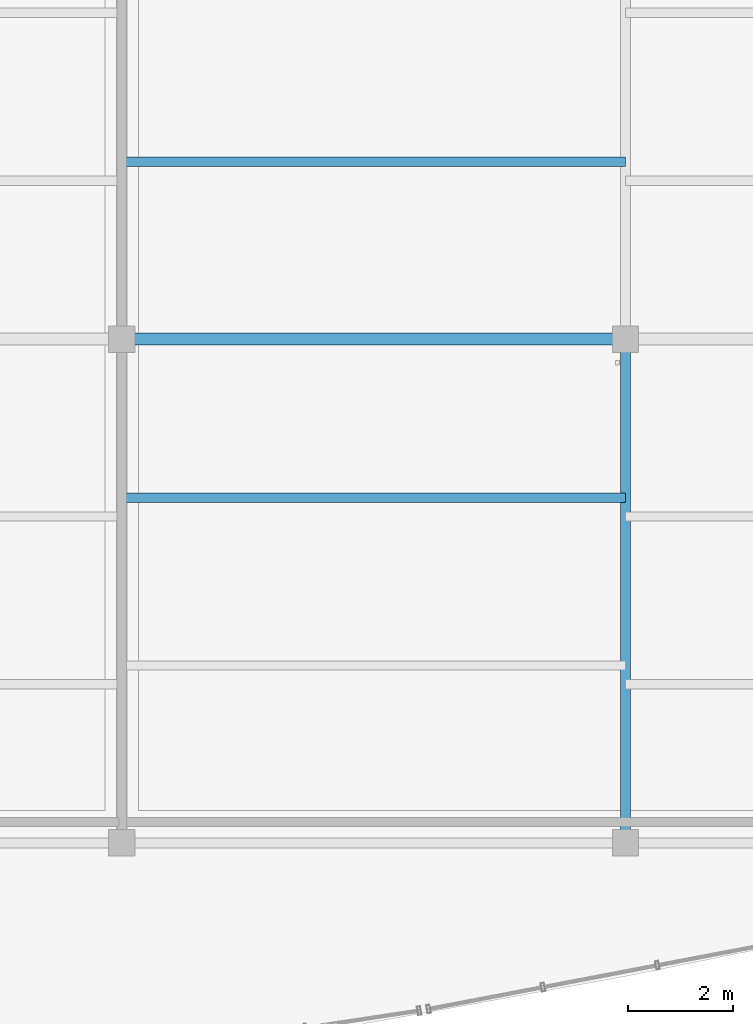
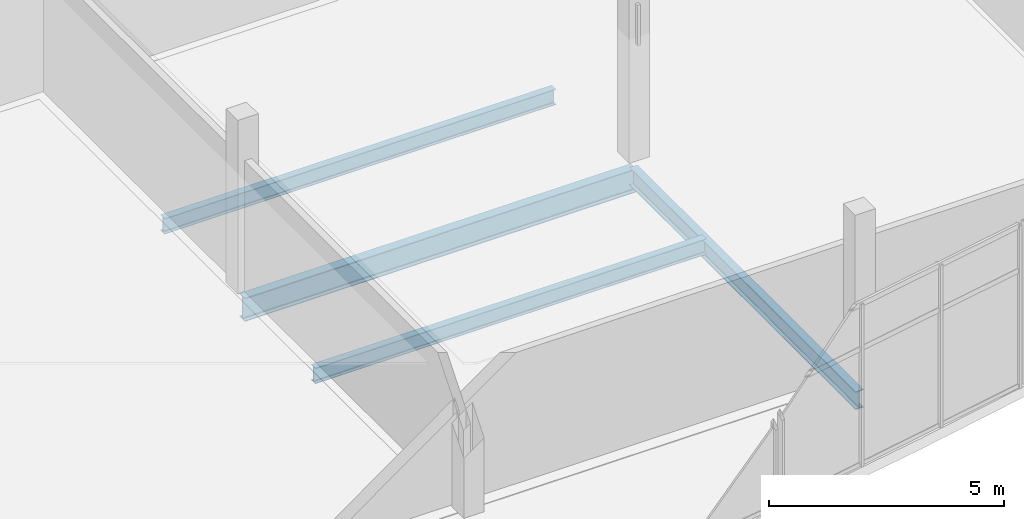
# One storey, part 59 of 114: 4 beams.
"""IFC4 building model written with IfcOpenShell, lengths in metres."""

from ifc_helpers import new_model, si_unit, direction, frame, origin, origin_2d, place, context, subcontext, project, spatial, i_section, extrude, material, material_profile, profile_set, type_object, element, save


model = new_model("IFC4")

# Units and contexts
model_context = context("Model", 3, precision=1e-05, world=origin(), true_north=direction((0.0, 1.0)))
body_context = subcontext(model_context, "Body", "Model", "MODEL_VIEW")
ifc_project = project(units=[si_unit("LENGTHUNIT", "METRE"), si_unit("AREAUNIT", "SQUARE_METRE"), si_unit("VOLUMEUNIT", "CUBIC_METRE"), si_unit("PLANEANGLEUNIT", "RADIAN"), si_unit("MASSUNIT", "GRAM", prefix="KILO")], contexts=[model_context])

# Site, building, storey
site_placement = place(None, origin())
site = spatial("IfcSite", under=ifc_project, at=site_placement, CompositionType="ELEMENT")
building_placement = place(site_placement, origin())
building = spatial("IfcBuilding", under=site, at=building_placement, Name="Chalmorin Arch Market", CompositionType="ELEMENT")
storey_placement = place(building_placement, frame((0.0, 0.0, 9.60009765625)))
storey = spatial("IfcBuildingStorey", under=building, at=storey_placement, Name="L02", CompositionType="ELEMENT", Elevation=9.60009765625)

# Beams
ifc_material = material(Name="Steel A992 Grade 50", Category="steel")
ifc_material_profile_1 = material_profile(ifc_material, i_section(OverallWidth=0.193115234375, OverallDepth=0.466064453125, WebThickness=0.011474609375, FlangeThickness=0.01904296875, FilletRadius=0.02001953125, at=origin_2d()), Name="W18X65")
ifc_profile_set_1 = profile_set([ifc_material_profile_1], Name="Steel A992 Grade 50")
beam_type_1 = type_object("IfcBeamType", Name="FloorSteelBeam-W18X65", PredefinedType="BEAM", material=ifc_profile_set_1)
beam_1_placement = place(storey_placement, frame((105.60009765625, 72.0, -0.51513671875), z_axis=(0.0, 1.0, 0.0), x_axis=(-1.0, 0.0, 0.0)))
element("IfcBeam", 1, at=beam_1_placement, inside=storey, type_object=beam_type_1, Name="BM-W18A-1281", PredefinedType="BEAM", context=body_context, shape_type="SweptSolid", body=[
    extrude(i_section(OverallWidth=0.193115234375, OverallDepth=0.466064453125, WebThickness=0.011474609375, FlangeThickness=0.01904296875, FilletRadius=0.02001953125, at=origin_2d()), origin(), (0.0, 0.0, 1.0), 9.60009765625),
])
ifc_material_profile_2 = material_profile(ifc_material, i_section(OverallWidth=0.22802734375, OverallDepth=0.60791015625, WebThickness=0.01123046875, FlangeThickness=0.017333984375, FilletRadius=0.02392578125, at=origin_2d()), Name="W24X76")
ifc_profile_set_2 = profile_set([ifc_material_profile_2], Name="Steel A992 Grade 50")
beam_type_2 = type_object("IfcBeamType", Name="PrimarySteelGirder-W24X76", PredefinedType="BEAM", material=ifc_profile_set_2)
beam_2_placement = place(storey_placement, frame((96.0, 81.60009765625, -0.586181640625), z_axis=(1.0, 0.0, 0.0), x_axis=(0.0, 1.0, 0.0)))
element("IfcBeam", 2, at=beam_2_placement, inside=storey, type_object=beam_type_2, Name="BG-W24B-1280", PredefinedType="BEAM", context=body_context, shape_type="SweptSolid", body=[
    extrude(i_section(OverallWidth=0.22802734375, OverallDepth=0.60791015625, WebThickness=0.01123046875, FlangeThickness=0.017333984375, FilletRadius=0.02392578125, at=origin_2d()), origin(), (0.0, 0.0, 1.0), 9.60009765625),
])
ifc_material_profile_3 = material_profile(ifc_material, i_section(OverallWidth=0.177978515625, OverallDepth=0.403076171875, WebThickness=0.007568359375, FlangeThickness=0.010986328125, FilletRadius=0.01806640625, at=origin_2d()), Name="W16X36")
ifc_profile_set_3 = profile_set([ifc_material_profile_3], Name="Steel A992 Grade 50")
beam_type_3 = type_object("IfcBeamType", Name="SecondaryFloorJoist-W16X36", PredefinedType="JOIST", material=ifc_profile_set_3)
for number, where, z_axis, x_axis, name in (
    (3, (96.0, 78.580078125, -0.483642578125), (1.0, 0.0, 0.0), (0.0, 1.0, 0.0), "BJ-W16B-1344"),
    (4, (96.0, 84.97998046875, -0.483642578125), (1.0, 0.0, 0.0), (0.0, 1.0, 0.0), "BJ-W16B-1345"),
):
    element("IfcBeam", number, at=place(storey_placement, frame(where, z_axis=z_axis, x_axis=x_axis)), inside=storey, type_object=beam_type_3, Name=name, PredefinedType="JOIST", context=body_context, shape_type="SweptSolid", body=[
        extrude(i_section(OverallWidth=0.177978515625, OverallDepth=0.403076171875, WebThickness=0.007568359375, FlangeThickness=0.010986328125, FilletRadius=0.01806640625, at=origin_2d()), origin(), (0.0, 0.0, 1.0), 9.60009765625),
    ])

save(model, "model.ifc")
